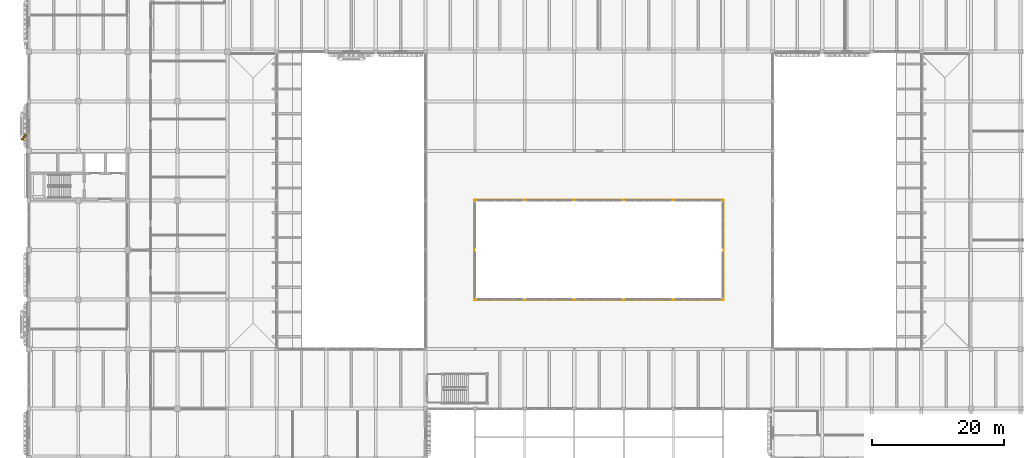
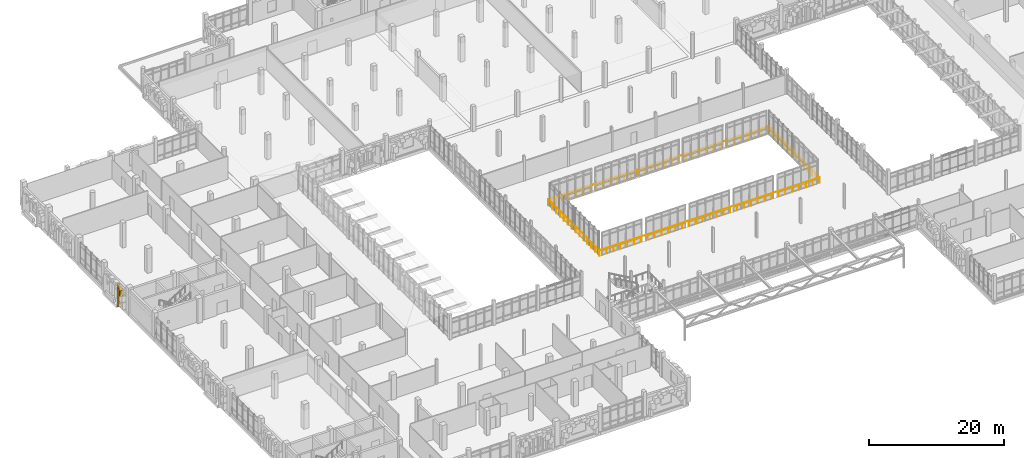
# One storey, part 114 of 128: 4 railings, 2 coverings.
"""IFC4 building model written with IfcOpenShell, lengths in metres."""

from ifc_helpers import new_model, si_unit, direction, frame, origin, origin_2d, place, context, subcontext, project, spatial, rectangle, circle, extrude, material, layer, layer_set, type_object, element, save


model = new_model("IFC4")

# Units and contexts
model_context = context("Model", 3, precision=1e-05, world=origin(), true_north=direction((0.0, 1.0)))
body_context = subcontext(model_context, "Body", "Model", "MODEL_VIEW")
ifc_project = project(units=[si_unit("LENGTHUNIT", "METRE"), si_unit("AREAUNIT", "SQUARE_METRE"), si_unit("VOLUMEUNIT", "CUBIC_METRE"), si_unit("PLANEANGLEUNIT", "RADIAN"), si_unit("MASSUNIT", "GRAM", prefix="KILO")], contexts=[model_context])

# Site, building, storey
site_placement = place(None, origin())
site = spatial("IfcSite", under=ifc_project, at=site_placement, CompositionType="ELEMENT")
building_placement = place(site_placement, origin())
building = spatial("IfcBuilding", under=site, at=building_placement, Name="Dalvernix Boulevard General Hospital", CompositionType="ELEMENT")
storey_placement = place(building_placement, frame((0.0, 0.0, 4.800048828125)))
storey = spatial("IfcBuildingStorey", under=building, at=storey_placement, Name="L01", CompositionType="ELEMENT", Elevation=4.800048828125)

# Coverings
ifc_material_1 = material(Name="Pressed Catalan clay brick and dressed limestone parabolic archivolt", Category="masonry")
ifc_layer_1 = layer(ifc_material_1, 0.419921875)
ifc_layer_set_1 = layer_set([ifc_layer_1], Name="Pressed Catalan clay brick and dressed limestone parabolic archivolt (COV-ARC-01)")
covering_type_1 = type_object("IfcCoveringType", Name="COV-ARC-01", PredefinedType="CLADDING", material=ifc_layer_set_1)
covering_1_placement = place(storey_placement, frame((-0.485107421875, 63.395751953125, 1.95263671875), z_axis=(0.0, 0.0, 1.0), x_axis=(0.0, 1.0, 0.0)))
element("IfcCovering", 1, at=covering_1_placement, inside=storey, type_object=covering_type_1, Name="L01 Catalan parabolic archivolt voussoir W 0-8-2", PredefinedType="CLADDING", context=body_context, shape_type="SweptSolid", body=[
    extrude(rectangle(XDim=0.8623046875, YDim=0.659912109375, at=origin_2d()), origin(), (0.0, 0.0, 1.0), 1.049560546875),
])
ifc_material_2 = material(Name="Polychrome glazed Catalan trencadis ceramic faceted bay spandrel")
ifc_layer_2 = layer(ifc_material_2, 0.280029296875)
ifc_layer_set_2 = layer_set([ifc_layer_2], Name="Polychrome glazed Catalan trencadis ceramic faceted bay spandrel (COV-BAY-01)")
covering_type_2 = type_object("IfcCoveringType", Name="COV-BAY-01", PredefinedType="CLADDING", material=ifc_layer_set_2)
covering_2_placement = place(storey_placement, frame((-0.735107421875, 63.612548828125, 0.080078125), z_axis=(0.0, 0.0, 1.0), x_axis=(0.559192903471, 0.829037572555, 0.0)))
element("IfcCovering", 2, at=covering_2_placement, inside=storey, type_object=covering_type_2, Name="L01 projecting faceted Catalan bay cheek W 0-8-L", PredefinedType="CLADDING", context=body_context, shape_type="SweptSolid", body=[
    extrude(rectangle(XDim=1.14990234375, YDim=0.239990234375, at=origin_2d()), origin(), (0.0, 0.0, 1.0), 3.469970703125),
])

# Railings
ifc_material_3 = material(Name="Brushed stainless steel balustrade", Category="steel")
railing_type = type_object("IfcRailingType", Name="RL-GR-INT1", PredefinedType="BALUSTRADE", material=ifc_material_3)
railing_1_placement = place(storey_placement, frame((67.419921875, 38.919921875, 0.0)))
element("IfcRailing", 3, at=railing_1_placement, inside=storey, type_object=railing_type, Name="L01 Botanical Conservatory atrium void safety balustrade S", PredefinedType="BALUSTRADE", context=body_context, shape_type="SweptSolid", body=[
    extrude(circle(Radius=0.02392578125, at=origin_2d()), frame((0.0, 0.0, 1.09619140625), z_axis=(1.0, 0.0, 0.0), x_axis=(0.0, 1.0, 0.0)), (0.0, 0.0, 1.0), 37.66015625),
    extrude(circle(Radius=0.02099609375, at=origin_2d()), origin(), (0.0, 0.0, 1.0), 1.072021484375),
    extrude(circle(Radius=0.02099609375, at=origin_2d()), frame((1.1767578125, 0.0, 0.0)), (0.0, 0.0, 1.0), 1.072021484375),
    extrude(circle(Radius=0.02099609375, at=origin_2d()), frame((2.353759765625, 0.0, 0.0)), (0.0, 0.0, 1.0), 1.072021484375),
    extrude(circle(Radius=0.02099609375, at=origin_2d()), frame((3.53076171875, 0.0, 0.0)), (0.0, 0.0, 1.0), 1.072021484375),
    extrude(circle(Radius=0.02099609375, at=origin_2d()), frame((4.70751953125, 0.0, 0.0)), (0.0, 0.0, 1.0), 1.072021484375),
    extrude(circle(Radius=0.02099609375, at=origin_2d()), frame((5.88427734375, 0.0, 0.0)), (0.0, 0.0, 1.0), 1.072021484375),
    extrude(circle(Radius=0.02099609375, at=origin_2d()), frame((7.061279296875, 0.0, 0.0)), (0.0, 0.0, 1.0), 1.072021484375),
    extrude(circle(Radius=0.02099609375, at=origin_2d()), frame((8.23828125, 0.0, 0.0)), (0.0, 0.0, 1.0), 1.072021484375),
    extrude(circle(Radius=0.02099609375, at=origin_2d()), frame((9.4150390625, 0.0, 0.0)), (0.0, 0.0, 1.0), 1.072021484375),
    extrude(circle(Radius=0.02099609375, at=origin_2d()), frame((10.591796875, 0.0, 0.0)), (0.0, 0.0, 1.0), 1.072021484375),
    extrude(circle(Radius=0.02099609375, at=origin_2d()), frame((11.768798828125, 0.0, 0.0)), (0.0, 0.0, 1.0), 1.072021484375),
    extrude(circle(Radius=0.02099609375, at=origin_2d()), frame((12.94580078125, 0.0, 0.0)), (0.0, 0.0, 1.0), 1.072021484375),
    extrude(circle(Radius=0.02099609375, at=origin_2d()), frame((14.12255859375, 0.0, 0.0)), (0.0, 0.0, 1.0), 1.072021484375),
    extrude(circle(Radius=0.02099609375, at=origin_2d()), frame((15.29931640625, 0.0, 0.0)), (0.0, 0.0, 1.0), 1.072021484375),
    extrude(circle(Radius=0.02099609375, at=origin_2d()), frame((16.476318359375, 0.0, 0.0)), (0.0, 0.0, 1.0), 1.072021484375),
    extrude(circle(Radius=0.02099609375, at=origin_2d()), frame((17.6533203125, 0.0, 0.0)), (0.0, 0.0, 1.0), 1.072021484375),
    extrude(circle(Radius=0.02099609375, at=origin_2d()), frame((18.830078125, 0.0, 0.0)), (0.0, 0.0, 1.0), 1.072021484375),
    extrude(circle(Radius=0.02099609375, at=origin_2d()), frame((20.0068359375, 0.0, 0.0)), (0.0, 0.0, 1.0), 1.072021484375),
    extrude(circle(Radius=0.02099609375, at=origin_2d()), frame((21.183837890625, 0.0, 0.0)), (0.0, 0.0, 1.0), 1.072021484375),
    extrude(circle(Radius=0.02099609375, at=origin_2d()), frame((22.36083984375, 0.0, 0.0)), (0.0, 0.0, 1.0), 1.072021484375),
    extrude(circle(Radius=0.02099609375, at=origin_2d()), frame((23.53759765625, 0.0, 0.0)), (0.0, 0.0, 1.0), 1.072021484375),
    extrude(circle(Radius=0.02099609375, at=origin_2d()), frame((24.71435546875, 0.0, 0.0)), (0.0, 0.0, 1.0), 1.072021484375),
    extrude(circle(Radius=0.02099609375, at=origin_2d()), frame((25.891357421875, 0.0, 0.0)), (0.0, 0.0, 1.0), 1.072021484375),
    extrude(circle(Radius=0.02099609375, at=origin_2d()), frame((27.068359375, 0.0, 0.0)), (0.0, 0.0, 1.0), 1.072021484375),
    extrude(circle(Radius=0.02099609375, at=origin_2d()), frame((28.2451171875, 0.0, 0.0)), (0.0, 0.0, 1.0), 1.072021484375),
    extrude(circle(Radius=0.02099609375, at=origin_2d()), frame((29.421875, 0.0, 0.0)), (0.0, 0.0, 1.0), 1.072021484375),
    extrude(circle(Radius=0.02099609375, at=origin_2d()), frame((30.598876953125, 0.0, 0.0)), (0.0, 0.0, 1.0), 1.072021484375),
    extrude(circle(Radius=0.02099609375, at=origin_2d()), frame((31.77587890625, 0.0, 0.0)), (0.0, 0.0, 1.0), 1.072021484375),
    extrude(circle(Radius=0.02099609375, at=origin_2d()), frame((32.95263671875, 0.0, 0.0)), (0.0, 0.0, 1.0), 1.072021484375),
    extrude(circle(Radius=0.02099609375, at=origin_2d()), frame((34.12939453125, 0.0, 0.0)), (0.0, 0.0, 1.0), 1.072021484375),
    extrude(circle(Radius=0.02099609375, at=origin_2d()), frame((35.306396484375, 0.0, 0.0)), (0.0, 0.0, 1.0), 1.072021484375),
    extrude(circle(Radius=0.02099609375, at=origin_2d()), frame((36.4833984375, 0.0, 0.0)), (0.0, 0.0, 1.0), 1.072021484375),
    extrude(circle(Radius=0.02099609375, at=origin_2d()), frame((37.66015625, 0.0, 0.0)), (0.0, 0.0, 1.0), 1.072021484375),
])
railing_2_placement = place(storey_placement, frame((105.1201171875, 38.9599609375, 0.0)))
element("IfcRailing", 4, at=railing_2_placement, inside=storey, type_object=railing_type, Name="L01 Botanical Conservatory atrium void safety balustrade E", PredefinedType="BALUSTRADE", context=body_context, shape_type="SweptSolid", body=[
    extrude(circle(Radius=0.02392578125, at=origin_2d()), frame((0.0, 0.0, 1.09619140625), z_axis=(0.0, 1.0, 0.0), x_axis=(-1.0, 0.0, 0.0)), (0.0, 0.0, 1.0), 15.080078125),
    extrude(circle(Radius=0.02099609375, at=origin_2d()), origin(), (0.0, 0.0, 1.0), 1.072021484375),
    extrude(circle(Radius=0.02099609375, at=origin_2d()), frame((0.0, 1.159912109375, 0.0)), (0.0, 0.0, 1.0), 1.072021484375),
    extrude(circle(Radius=0.02099609375, at=origin_2d()), frame((0.0, 2.320068359375, 0.0)), (0.0, 0.0, 1.0), 1.072021484375),
    extrude(circle(Radius=0.02099609375, at=origin_2d()), frame((0.0, 3.47998046875, 0.0)), (0.0, 0.0, 1.0), 1.072021484375),
    extrude(circle(Radius=0.02099609375, at=origin_2d()), frame((0.0, 4.64013671875, 0.0)), (0.0, 0.0, 1.0), 1.072021484375),
    extrude(circle(Radius=0.02099609375, at=origin_2d()), frame((0.0, 5.800048828125, 0.0)), (0.0, 0.0, 1.0), 1.072021484375),
    extrude(circle(Radius=0.02099609375, at=origin_2d()), frame((0.0, 6.9599609375, 0.0)), (0.0, 0.0, 1.0), 1.072021484375),
    extrude(circle(Radius=0.02099609375, at=origin_2d()), frame((0.0, 8.1201171875, 0.0)), (0.0, 0.0, 1.0), 1.072021484375),
    extrude(circle(Radius=0.02099609375, at=origin_2d()), frame((0.0, 9.280029296875, 0.0)), (0.0, 0.0, 1.0), 1.072021484375),
    extrude(circle(Radius=0.02099609375, at=origin_2d()), frame((0.0, 10.43994140625, 0.0)), (0.0, 0.0, 1.0), 1.072021484375),
    extrude(circle(Radius=0.02099609375, at=origin_2d()), frame((0.0, 11.60009765625, 0.0)), (0.0, 0.0, 1.0), 1.072021484375),
    extrude(circle(Radius=0.02099609375, at=origin_2d()), frame((0.0, 12.760009765625, 0.0)), (0.0, 0.0, 1.0), 1.072021484375),
    extrude(circle(Radius=0.02099609375, at=origin_2d()), frame((0.0, 13.920166015625, 0.0)), (0.0, 0.0, 1.0), 1.072021484375),
    extrude(circle(Radius=0.02099609375, at=origin_2d()), frame((0.0, 15.080078125, 0.0)), (0.0, 0.0, 1.0), 1.072021484375),
])
railing_3_placement = place(storey_placement, frame((105.080078125, 54.080078125, 0.0)))
element("IfcRailing", 5, at=railing_3_placement, inside=storey, type_object=railing_type, Name="L01 Botanical Conservatory atrium void safety balustrade N", PredefinedType="BALUSTRADE", context=body_context, shape_type="SweptSolid", body=[
    extrude(circle(Radius=0.02392578125, at=origin_2d()), frame((0.0, 0.0, 1.09619140625), z_axis=(-1.0, 0.0, 0.0), x_axis=(0.0, -1.0, 0.0)), (0.0, 0.0, 1.0), 37.66015625),
    extrude(circle(Radius=0.02099609375, at=origin_2d()), origin(), (0.0, 0.0, 1.0), 1.072021484375),
    extrude(circle(Radius=0.02099609375, at=origin_2d()), frame((-1.1767578125, 0.0, 0.0)), (0.0, 0.0, 1.0), 1.072021484375),
    extrude(circle(Radius=0.02099609375, at=origin_2d()), frame((-2.353759765625, 0.0, 0.0)), (0.0, 0.0, 1.0), 1.072021484375),
    extrude(circle(Radius=0.02099609375, at=origin_2d()), frame((-3.53076171875, 0.0, 0.0)), (0.0, 0.0, 1.0), 1.072021484375),
    extrude(circle(Radius=0.02099609375, at=origin_2d()), frame((-4.70751953125, 0.0, 0.0)), (0.0, 0.0, 1.0), 1.072021484375),
    extrude(circle(Radius=0.02099609375, at=origin_2d()), frame((-5.88427734375, 0.0, 0.0)), (0.0, 0.0, 1.0), 1.072021484375),
    extrude(circle(Radius=0.02099609375, at=origin_2d()), frame((-7.061279296875, 0.0, 0.0)), (0.0, 0.0, 1.0), 1.072021484375),
    extrude(circle(Radius=0.02099609375, at=origin_2d()), frame((-8.23828125, 0.0, 0.0)), (0.0, 0.0, 1.0), 1.072021484375),
    extrude(circle(Radius=0.02099609375, at=origin_2d()), frame((-9.4150390625, 0.0, 0.0)), (0.0, 0.0, 1.0), 1.072021484375),
    extrude(circle(Radius=0.02099609375, at=origin_2d()), frame((-10.591796875, 0.0, 0.0)), (0.0, 0.0, 1.0), 1.072021484375),
    extrude(circle(Radius=0.02099609375, at=origin_2d()), frame((-11.768798828125, 0.0, 0.0)), (0.0, 0.0, 1.0), 1.072021484375),
    extrude(circle(Radius=0.02099609375, at=origin_2d()), frame((-12.94580078125, 0.0, 0.0)), (0.0, 0.0, 1.0), 1.072021484375),
    extrude(circle(Radius=0.02099609375, at=origin_2d()), frame((-14.12255859375, 0.0, 0.0)), (0.0, 0.0, 1.0), 1.072021484375),
    extrude(circle(Radius=0.02099609375, at=origin_2d()), frame((-15.29931640625, 0.0, 0.0)), (0.0, 0.0, 1.0), 1.072021484375),
    extrude(circle(Radius=0.02099609375, at=origin_2d()), frame((-16.476318359375, 0.0, 0.0)), (0.0, 0.0, 1.0), 1.072021484375),
    extrude(circle(Radius=0.02099609375, at=origin_2d()), frame((-17.6533203125, 0.0, 0.0)), (0.0, 0.0, 1.0), 1.072021484375),
    extrude(circle(Radius=0.02099609375, at=origin_2d()), frame((-18.830078125, 0.0, 0.0)), (0.0, 0.0, 1.0), 1.072021484375),
    extrude(circle(Radius=0.02099609375, at=origin_2d()), frame((-20.0068359375, 0.0, 0.0)), (0.0, 0.0, 1.0), 1.072021484375),
    extrude(circle(Radius=0.02099609375, at=origin_2d()), frame((-21.183837890625, 0.0, 0.0)), (0.0, 0.0, 1.0), 1.072021484375),
    extrude(circle(Radius=0.02099609375, at=origin_2d()), frame((-22.36083984375, 0.0, 0.0)), (0.0, 0.0, 1.0), 1.072021484375),
    extrude(circle(Radius=0.02099609375, at=origin_2d()), frame((-23.53759765625, 0.0, 0.0)), (0.0, 0.0, 1.0), 1.072021484375),
    extrude(circle(Radius=0.02099609375, at=origin_2d()), frame((-24.71435546875, 0.0, 0.0)), (0.0, 0.0, 1.0), 1.072021484375),
    extrude(circle(Radius=0.02099609375, at=origin_2d()), frame((-25.891357421875, 0.0, 0.0)), (0.0, 0.0, 1.0), 1.072021484375),
    extrude(circle(Radius=0.02099609375, at=origin_2d()), frame((-27.068359375, 0.0, 0.0)), (0.0, 0.0, 1.0), 1.072021484375),
    extrude(circle(Radius=0.02099609375, at=origin_2d()), frame((-28.2451171875, 0.0, 0.0)), (0.0, 0.0, 1.0), 1.072021484375),
    extrude(circle(Radius=0.02099609375, at=origin_2d()), frame((-29.421875, 0.0, 0.0)), (0.0, 0.0, 1.0), 1.072021484375),
    extrude(circle(Radius=0.02099609375, at=origin_2d()), frame((-30.598876953125, 0.0, 0.0)), (0.0, 0.0, 1.0), 1.072021484375),
    extrude(circle(Radius=0.02099609375, at=origin_2d()), frame((-31.77587890625, 0.0, 0.0)), (0.0, 0.0, 1.0), 1.072021484375),
    extrude(circle(Radius=0.02099609375, at=origin_2d()), frame((-32.95263671875, 0.0, 0.0)), (0.0, 0.0, 1.0), 1.072021484375),
    extrude(circle(Radius=0.02099609375, at=origin_2d()), frame((-34.12939453125, 0.0, 0.0)), (0.0, 0.0, 1.0), 1.072021484375),
    extrude(circle(Radius=0.02099609375, at=origin_2d()), frame((-35.306396484375, 0.0, 0.0)), (0.0, 0.0, 1.0), 1.072021484375),
    extrude(circle(Radius=0.02099609375, at=origin_2d()), frame((-36.4833984375, 0.0, 0.0)), (0.0, 0.0, 1.0), 1.072021484375),
    extrude(circle(Radius=0.02099609375, at=origin_2d()), frame((-37.66015625, 0.0, 0.0)), (0.0, 0.0, 1.0), 1.072021484375),
])
railing_4_placement = place(storey_placement, frame((67.3798828125, 54.0400390625, 0.0)))
element("IfcRailing", 6, at=railing_4_placement, inside=storey, type_object=railing_type, Name="L01 Botanical Conservatory atrium void safety balustrade W", PredefinedType="BALUSTRADE", context=body_context, shape_type="SweptSolid", body=[
    extrude(circle(Radius=0.02392578125, at=origin_2d()), frame((0.0, 0.0, 1.09619140625), z_axis=(0.0, -1.0, 0.0), x_axis=(1.0, 0.0, 0.0)), (0.0, 0.0, 1.0), 15.080078125),
    extrude(circle(Radius=0.02099609375, at=origin_2d()), origin(), (0.0, 0.0, 1.0), 1.072021484375),
    extrude(circle(Radius=0.02099609375, at=origin_2d()), frame((0.0, -1.159912109375, 0.0)), (0.0, 0.0, 1.0), 1.072021484375),
    extrude(circle(Radius=0.02099609375, at=origin_2d()), frame((0.0, -2.320068359375, 0.0)), (0.0, 0.0, 1.0), 1.072021484375),
    extrude(circle(Radius=0.02099609375, at=origin_2d()), frame((0.0, -3.47998046875, 0.0)), (0.0, 0.0, 1.0), 1.072021484375),
    extrude(circle(Radius=0.02099609375, at=origin_2d()), frame((0.0, -4.64013671875, 0.0)), (0.0, 0.0, 1.0), 1.072021484375),
    extrude(circle(Radius=0.02099609375, at=origin_2d()), frame((0.0, -5.800048828125, 0.0)), (0.0, 0.0, 1.0), 1.072021484375),
    extrude(circle(Radius=0.02099609375, at=origin_2d()), frame((0.0, -6.9599609375, 0.0)), (0.0, 0.0, 1.0), 1.072021484375),
    extrude(circle(Radius=0.02099609375, at=origin_2d()), frame((0.0, -8.1201171875, 0.0)), (0.0, 0.0, 1.0), 1.072021484375),
    extrude(circle(Radius=0.02099609375, at=origin_2d()), frame((0.0, -9.280029296875, 0.0)), (0.0, 0.0, 1.0), 1.072021484375),
    extrude(circle(Radius=0.02099609375, at=origin_2d()), frame((0.0, -10.43994140625, 0.0)), (0.0, 0.0, 1.0), 1.072021484375),
    extrude(circle(Radius=0.02099609375, at=origin_2d()), frame((0.0, -11.60009765625, 0.0)), (0.0, 0.0, 1.0), 1.072021484375),
    extrude(circle(Radius=0.02099609375, at=origin_2d()), frame((0.0, -12.760009765625, 0.0)), (0.0, 0.0, 1.0), 1.072021484375),
    extrude(circle(Radius=0.02099609375, at=origin_2d()), frame((0.0, -13.920166015625, 0.0)), (0.0, 0.0, 1.0), 1.072021484375),
    extrude(circle(Radius=0.02099609375, at=origin_2d()), frame((0.0, -15.080078125, 0.0)), (0.0, 0.0, 1.0), 1.072021484375),
])

save(model, "model.ifc")
